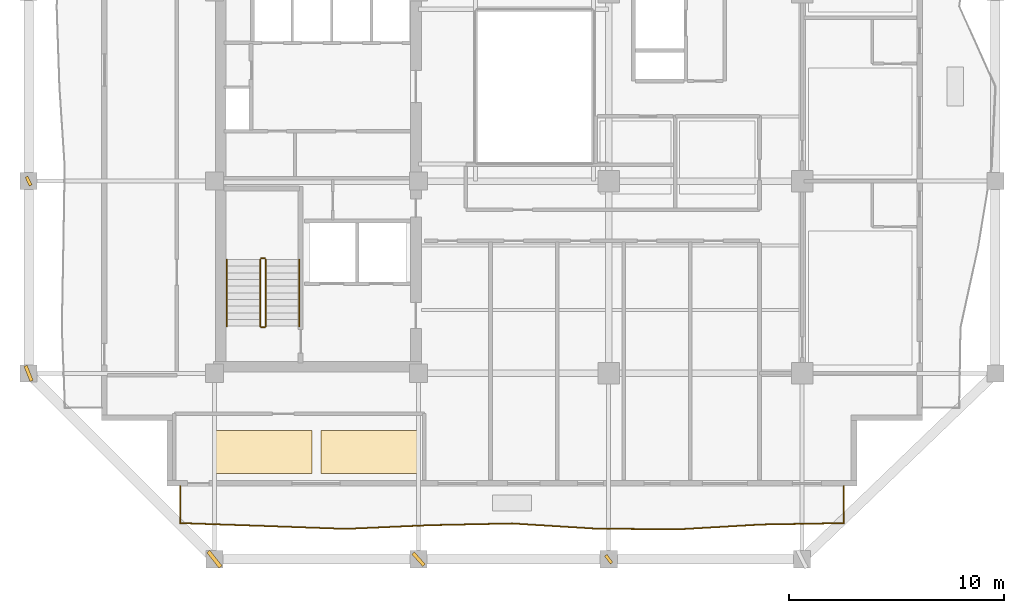
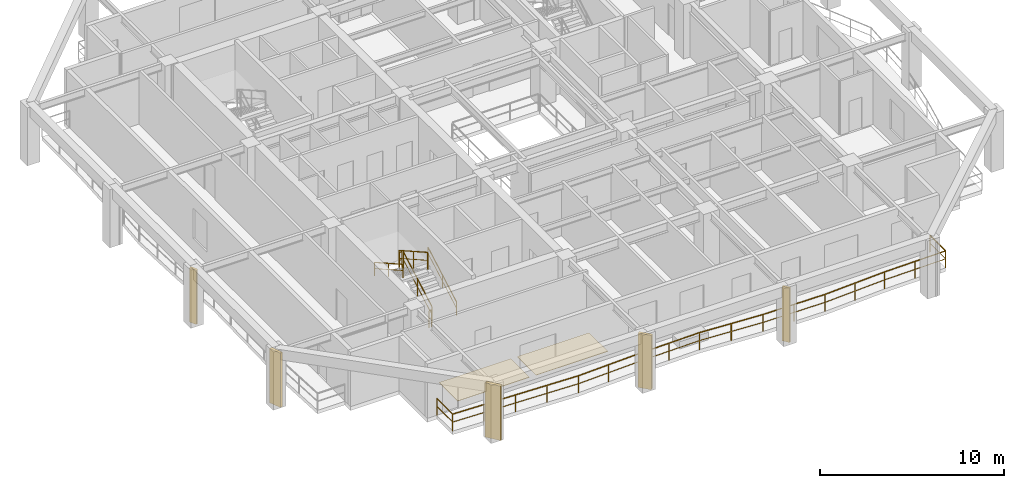
# One storey, part 8 of 11: 7 railings, 5 shading devices, 2 coverings.
"""IFC4 building model written with IfcOpenShell, lengths in metres."""

from ifc_helpers import new_model, si_unit, direction, frame, origin, origin_2d, place, context, subcontext, project, spatial, polyline, rectangle, outline, extrude, material, layer, layer_set, type_object, element, save


model = new_model("IFC4")

# Units and contexts
model_context = context("Model", 3, precision=1e-05, world=origin(), true_north=direction((0.0, 1.0)))
body_context = subcontext(model_context, "Body", "Model", "MODEL_VIEW")
ifc_project = project(units=[si_unit("LENGTHUNIT", "METRE"), si_unit("AREAUNIT", "SQUARE_METRE"), si_unit("VOLUMEUNIT", "CUBIC_METRE"), si_unit("PLANEANGLEUNIT", "RADIAN"), si_unit("MASSUNIT", "GRAM", prefix="KILO")], contexts=[model_context])

# Site, building, storey
site_placement = place(None, origin())
site = spatial("IfcSite", under=ifc_project, at=site_placement, CompositionType="ELEMENT")
building_placement = place(site_placement, origin())
building = spatial("IfcBuilding", under=site, at=building_placement, Name="Kundavana Baori Tower", CompositionType="ELEMENT")
storey_placement = place(building_placement, frame((0.0, 0.0, 146.35009765625)))
storey = spatial("IfcBuildingStorey", under=building, at=storey_placement, Name="L35", CompositionType="ELEMENT", Elevation=146.35009765625)

# Coverings
ifc_material_1 = material(Name="Honed Kota Stone and Terrazzo Flooring", Category="masonry")
ifc_layer = layer(ifc_material_1, 0.030029296875, Name="COV-INT-FLR")
ifc_layer_set = layer_set([ifc_layer], Name="Honed Kota Stone and Terrazzo Flooring")
covering_type = type_object("IfcCoveringType", Name="COV-INT-FLR", PredefinedType="FLOORING", material=ifc_layer_set)
covering_1_placement = place(storey_placement, origin())
element("IfcCovering", 1, at=covering_1_placement, inside=storey, type_object=covering_type, Name="L35 Room Finished Stone Flooring 5", PredefinedType="FLOORING", context=body_context, shape_type="SweptSolid", body=[
    extrude(outline(polyline([(15.5, 10.580078125), (20.0, 10.580078125), (20.0, 12.60009765625), (15.5, 12.60009765625), (15.5, 10.580078125)])), origin(), (0.0, 0.0, 1.0), 0.02978515625),
])
covering_2_placement = place(storey_placement, origin())
element("IfcCovering", 2, at=covering_2_placement, inside=storey, type_object=covering_type, Name="L35 Room Finished Stone Flooring 6", PredefinedType="FLOORING", context=body_context, shape_type="SweptSolid", body=[
    extrude(outline(polyline([(20.39990234375, 10.580078125), (24.89990234375, 10.580078125), (24.89990234375, 12.60009765625), (20.39990234375, 12.60009765625), (20.39990234375, 10.580078125)])), origin(), (0.0, 0.0, 1.0), 0.02978515625),
])

# Railings
ifc_material_2 = material(Name="Architectural Patinated Bronze Metalwork")
railing_type_1 = type_object("IfcRailingType", Name="RL-BAL-1150", PredefinedType="BALUSTRADE", material=ifc_material_2)
railing_1_placement = place(storey_placement, frame((44.75, 10.0, 0.0)))
element("IfcRailing", 3, at=railing_1_placement, inside=storey, type_object=railing_type_1, Name="L35 Loggia Balcony Balustrade S", PredefinedType="BALUSTRADE", context=body_context, shape_type="SweptSolid", body=[
    extrude(rectangle(XDim=0.048095703125, YDim=0.048095703125, at=origin_2d()), frame((0.0, 0.0, 1.1259765625), z_axis=(0.0, -1.0, 0.0), x_axis=(1.0, 0.0, 0.0)), (0.0, 0.0, 1.0), 1.719970703125),
    extrude(rectangle(XDim=0.03125, YDim=0.03125, at=origin_2d()), frame((0.0, 0.0, 0.597900390625), z_axis=(0.0, -1.0, 0.0), x_axis=(1.0, 0.0, 0.0)), (0.0, 0.0, 1.0), 1.719970703125),
    extrude(rectangle(XDim=0.048095703125, YDim=0.048095703125, at=origin_2d()), frame((0.0, -1.719970703125, 1.1259765625), z_axis=(-0.99984458265, -0.017629819791, 0.0), x_axis=(0.017629819791, -0.99984458265, 0.0)), (0.0, 0.0, 1.0), 3.863525390625),
    extrude(rectangle(XDim=0.03125, YDim=0.03125, at=origin_2d()), frame((0.0, -1.719970703125, 0.597900390625), z_axis=(-0.99984458265, -0.017629819791, 0.0), x_axis=(0.017629819791, -0.99984458265, 0.0)), (0.0, 0.0, 1.0), 3.863525390625),
    extrude(rectangle(XDim=0.048095703125, YDim=0.048095703125, at=origin_2d()), frame((-3.863037109375, -1.7880859375, 1.1259765625), z_axis=(-0.998309446853, -0.058122700585, 0.0), x_axis=(0.058122700585, -0.998309446853, 0.0)), (0.0, 0.0, 1.0), 3.86865234375),
    extrude(rectangle(XDim=0.03125, YDim=0.03125, at=origin_2d()), frame((-3.863037109375, -1.7880859375, 0.597900390625), z_axis=(-0.998309446853, -0.058122700585, 0.0), x_axis=(0.058122700585, -0.998309446853, 0.0)), (0.0, 0.0, 1.0), 3.86865234375),
    extrude(rectangle(XDim=0.048095703125, YDim=0.048095703125, at=origin_2d()), frame((-7.72509765625, -2.012939453125, 1.1259765625), z_axis=(-0.999956820918, 0.009292808994, 0.0), x_axis=(-0.009292808994, -0.999956820918, 0.0)), (0.0, 0.0, 1.0), 3.862060546875),
    extrude(rectangle(XDim=0.03125, YDim=0.03125, at=origin_2d()), frame((-7.72509765625, -2.012939453125, 0.597900390625), z_axis=(-0.999956820918, 0.009292808994, 0.0), x_axis=(-0.009292808994, -0.999956820918, 0.0)), (0.0, 0.0, 1.0), 3.862060546875),
    extrude(rectangle(XDim=0.048095703125, YDim=0.048095703125, at=origin_2d()), frame((-11.5869140625, -1.97705078125, 1.1259765625), z_axis=(-0.998091408394, 0.061753870241, 0.0), x_axis=(-0.061753870241, -0.998091408394, 0.0)), (0.0, 0.0, 1.0), 3.870361328125),
    extrude(rectangle(XDim=0.03125, YDim=0.03125, at=origin_2d()), frame((-11.5869140625, -1.97705078125, 0.597900390625), z_axis=(-0.998091408394, 0.061753870241, 0.0), x_axis=(-0.061753870241, -0.998091408394, 0.0)), (0.0, 0.0, 1.0), 3.870361328125),
    extrude(rectangle(XDim=0.048095703125, YDim=0.048095703125, at=origin_2d()), frame((-15.449951171875, -1.738037109375, 1.1259765625), z_axis=(-0.999779836826, -0.020982799534, 0.0), x_axis=(0.020982799534, -0.999779836826, 0.0)), (0.0, 0.0, 1.0), 3.86279296875),
    extrude(rectangle(XDim=0.03125, YDim=0.03125, at=origin_2d()), frame((-15.449951171875, -1.738037109375, 0.597900390625), z_axis=(-0.999779836826, -0.020982799534, 0.0), x_axis=(0.020982799534, -0.999779836826, 0.0)), (0.0, 0.0, 1.0), 3.86279296875),
    extrude(rectangle(XDim=0.048095703125, YDim=0.048095703125, at=origin_2d()), frame((-19.31201171875, -1.819091796875, 1.1259765625), z_axis=(-0.999011689366, -0.044448222797, 0.0), x_axis=(0.044448222797, -0.999011689366, 0.0)), (0.0, 0.0, 1.0), 3.866943359375),
    extrude(rectangle(XDim=0.03125, YDim=0.03125, at=origin_2d()), frame((-19.31201171875, -1.819091796875, 0.597900390625), z_axis=(-0.999011689366, -0.044448222797, 0.0), x_axis=(0.044448222797, -0.999011689366, 0.0)), (0.0, 0.0, 1.0), 3.866943359375),
    extrude(rectangle(XDim=0.048095703125, YDim=0.048095703125, at=origin_2d()), frame((-23.175048828125, -1.990966796875, 1.1259765625), z_axis=(-0.999354054427, 0.035937082536, 0.0), x_axis=(-0.035937082536, -0.999354054427, 0.0)), (0.0, 0.0, 1.0), 3.865478515625),
    extrude(rectangle(XDim=0.03125, YDim=0.03125, at=origin_2d()), frame((-23.175048828125, -1.990966796875, 0.597900390625), z_axis=(-0.999354054427, 0.035937082536, 0.0), x_axis=(-0.035937082536, -0.999354054427, 0.0)), (0.0, 0.0, 1.0), 3.865478515625),
    extrude(rectangle(XDim=0.048095703125, YDim=0.048095703125, at=origin_2d()), frame((-27.0380859375, -1.85205078125, 1.1259765625), z_axis=(-0.999415639858, 0.034181556528, 0.0), x_axis=(-0.034181556528, -0.999415639858, 0.0)), (0.0, 0.0, 1.0), 3.864013671875),
    extrude(rectangle(XDim=0.03125, YDim=0.03125, at=origin_2d()), frame((-27.0380859375, -1.85205078125, 0.597900390625), z_axis=(-0.999415639858, 0.034181556528, 0.0), x_axis=(-0.034181556528, -0.999415639858, 0.0)), (0.0, 0.0, 1.0), 3.864013671875),
    extrude(rectangle(XDim=0.048095703125, YDim=0.048095703125, at=origin_2d()), frame((-30.89990234375, -1.719970703125, 1.1259765625), z_axis=(0.0, 1.0, 0.0), x_axis=(-1.0, 0.0, 0.0)), (0.0, 0.0, 1.0), 1.719970703125),
    extrude(rectangle(XDim=0.03125, YDim=0.03125, at=origin_2d()), frame((-30.89990234375, -1.719970703125, 0.597900390625), z_axis=(0.0, 1.0, 0.0), x_axis=(-1.0, 0.0, 0.0)), (0.0, 0.0, 1.0), 1.719970703125),
    extrude(rectangle(XDim=0.0419921875, YDim=0.0419921875, at=origin_2d()), origin(), (0.0, 0.0, 1.0), 1.101806640625),
    extrude(rectangle(XDim=0.0419921875, YDim=0.0419921875, at=origin_2d()), frame((0.0, -1.719970703125, 0.0)), (0.0, 0.0, 1.0), 1.101806640625),
    extrude(rectangle(XDim=0.0419921875, YDim=0.0419921875, at=origin_2d()), frame((-1.931640625, -1.75390625, 0.0)), (0.0, 0.0, 1.0), 1.101806640625),
    extrude(rectangle(XDim=0.0419921875, YDim=0.0419921875, at=origin_2d()), frame((-3.863037109375, -1.7880859375, 0.0)), (0.0, 0.0, 1.0), 1.101806640625),
    extrude(rectangle(XDim=0.0419921875, YDim=0.0419921875, at=origin_2d()), frame((-5.7939453125, -1.900390625, 0.0)), (0.0, 0.0, 1.0), 1.101806640625),
    extrude(rectangle(XDim=0.0419921875, YDim=0.0419921875, at=origin_2d()), frame((-7.72509765625, -2.012939453125, 0.0)), (0.0, 0.0, 1.0), 1.101806640625),
    extrude(rectangle(XDim=0.0419921875, YDim=0.0419921875, at=origin_2d()), frame((-9.656005859375, -1.9951171875, 0.0)), (0.0, 0.0, 1.0), 1.101806640625),
    extrude(rectangle(XDim=0.0419921875, YDim=0.0419921875, at=origin_2d()), frame((-11.5869140625, -1.97705078125, 0.0)), (0.0, 0.0, 1.0), 1.101806640625),
    extrude(rectangle(XDim=0.0419921875, YDim=0.0419921875, at=origin_2d()), frame((-13.5185546875, -1.857421875, 0.0)), (0.0, 0.0, 1.0), 1.101806640625),
    extrude(rectangle(XDim=0.0419921875, YDim=0.0419921875, at=origin_2d()), frame((-15.449951171875, -1.738037109375, 0.0)), (0.0, 0.0, 1.0), 1.101806640625),
    extrude(rectangle(XDim=0.0419921875, YDim=0.0419921875, at=origin_2d()), frame((-17.380859375, -1.778564453125, 0.0)), (0.0, 0.0, 1.0), 1.101806640625),
    extrude(rectangle(XDim=0.0419921875, YDim=0.0419921875, at=origin_2d()), frame((-19.31201171875, -1.819091796875, 0.0)), (0.0, 0.0, 1.0), 1.101806640625),
    extrude(rectangle(XDim=0.0419921875, YDim=0.0419921875, at=origin_2d()), frame((-21.24365234375, -1.905029296875, 0.0)), (0.0, 0.0, 1.0), 1.101806640625),
    extrude(rectangle(XDim=0.0419921875, YDim=0.0419921875, at=origin_2d()), frame((-23.175048828125, -1.990966796875, 0.0)), (0.0, 0.0, 1.0), 1.101806640625),
    extrude(rectangle(XDim=0.0419921875, YDim=0.0419921875, at=origin_2d()), frame((-25.1064453125, -1.92138671875, 0.0)), (0.0, 0.0, 1.0), 1.101806640625),
    extrude(rectangle(XDim=0.0419921875, YDim=0.0419921875, at=origin_2d()), frame((-27.0380859375, -1.85205078125, 0.0)), (0.0, 0.0, 1.0), 1.101806640625),
    extrude(rectangle(XDim=0.0419921875, YDim=0.0419921875, at=origin_2d()), frame((-28.968994140625, -1.7861328125, 0.0)), (0.0, 0.0, 1.0), 1.101806640625),
    extrude(rectangle(XDim=0.0419921875, YDim=0.0419921875, at=origin_2d()), frame((-30.89990234375, -1.719970703125, 0.0)), (0.0, 0.0, 1.0), 1.101806640625),
    extrude(rectangle(XDim=0.0419921875, YDim=0.0419921875, at=origin_2d()), frame((-30.89990234375, 0.0, 0.0)), (0.0, 0.0, 1.0), 1.101806640625),
])
ifc_material_3 = material(Name="Architectural Patinated Bronze Metalwork")
railing_type_2 = type_object("IfcRailingType", Name="RL-GRD-1150", PredefinedType="GUARDRAIL", material=ifc_material_3)
railing_2_placement = place(storey_placement, frame((17.840087890625, 17.449951171875, 0.1748046875)))
element("IfcRailing", 4, at=railing_2_placement, inside=storey, type_object=railing_type_2, Name="L35 ST1 stair guard 1", PredefinedType="GUARDRAIL", context=body_context, shape_type="SweptSolid", body=[
    extrude(rectangle(XDim=0.048095703125, YDim=0.048095703125, at=origin_2d()), frame((0.0, 0.0, 1.1259765625), z_axis=(0.0, 0.870830938388, 0.491582624537), x_axis=(-1.0, 0.0, 0.0)), (0.0, 0.0, 1.0), 3.559814453125),
    extrude(rectangle(XDim=0.03125, YDim=0.03125, at=origin_2d()), frame((0.0, 0.0, 0.597900390625), z_axis=(0.0, 0.870830938388, 0.491582624537), x_axis=(-1.0, 0.0, 0.0)), (0.0, 0.0, 1.0), 3.559814453125),
    extrude(rectangle(XDim=0.0419921875, YDim=0.0419921875, at=origin_2d()), origin(), (0.0, 0.0, 1.0), 1.101806640625),
    extrude(rectangle(XDim=0.0419921875, YDim=0.0419921875, at=origin_2d()), frame((0.0, 1.550048828125, 0.875)), (0.0, 0.0, 1.0), 1.101806640625),
    extrude(rectangle(XDim=0.0419921875, YDim=0.0419921875, at=origin_2d()), frame((0.0, 3.10009765625, 1.75)), (0.0, 0.0, 1.0), 1.101806640625),
])
railing_3_placement = place(storey_placement, frame((17.7900390625, 20.60009765625, 1.9248046875)))
element("IfcRailing", 5, at=railing_3_placement, inside=storey, type_object=railing_type_2, Name="L35 ST1 stair guard 2", PredefinedType="GUARDRAIL", context=body_context, shape_type="SweptSolid", body=[
    extrude(rectangle(XDim=0.048095703125, YDim=0.048095703125, at=origin_2d()), frame((0.0, 0.0, 1.1259765625), z_axis=(-1.0, 0.0, 0.0), x_axis=(0.0, -1.0, 0.0)), (0.0, 0.0, 1.0), 0.16015625),
    extrude(rectangle(XDim=0.03125, YDim=0.03125, at=origin_2d()), frame((0.0, 0.0, 0.597900390625), z_axis=(-1.0, 0.0, 0.0), x_axis=(0.0, -1.0, 0.0)), (0.0, 0.0, 1.0), 0.16015625),
    extrude(rectangle(XDim=0.0419921875, YDim=0.0419921875, at=origin_2d()), origin(), (0.0, 0.0, 1.0), 1.101806640625),
    extrude(rectangle(XDim=0.0419921875, YDim=0.0419921875, at=origin_2d()), frame((-0.16015625, 0.0, 0.0)), (0.0, 0.0, 1.0), 1.101806640625),
])
railing_4_placement = place(storey_placement, frame((17.580078125, 20.550048828125, 2.099853515625)))
element("IfcRailing", 6, at=railing_4_placement, inside=storey, type_object=railing_type_2, Name="L35 ST1 stair guard 3", PredefinedType="GUARDRAIL", context=body_context, shape_type="SweptSolid", body=[
    extrude(rectangle(XDim=0.048095703125, YDim=0.048095703125, at=origin_2d()), frame((0.0, 0.0, 1.1259765625), z_axis=(0.0, -0.870830938388, 0.491582624537), x_axis=(1.0, 0.0, 0.0)), (0.0, 0.0, 1.0), 3.559814453125),
    extrude(rectangle(XDim=0.03125, YDim=0.03125, at=origin_2d()), frame((0.0, 0.0, 0.597900390625), z_axis=(0.0, -0.870830938388, 0.491582624537), x_axis=(1.0, 0.0, 0.0)), (0.0, 0.0, 1.0), 3.559814453125),
    extrude(rectangle(XDim=0.0419921875, YDim=0.0419921875, at=origin_2d()), origin(), (0.0, 0.0, 1.0), 1.101806640625),
    extrude(rectangle(XDim=0.0419921875, YDim=0.0419921875, at=origin_2d()), frame((0.0, -1.550048828125, 0.875)), (0.0, 0.0, 1.0), 1.101806640625),
    extrude(rectangle(XDim=0.0419921875, YDim=0.0419921875, at=origin_2d()), frame((0.0, -3.10009765625, 1.75)), (0.0, 0.0, 1.0), 1.101806640625),
])
railing_5_placement = place(storey_placement, frame((17.7900390625, 17.39990234375, 0.0)))
element("IfcRailing", 7, at=railing_5_placement, inside=storey, type_object=railing_type_2, Name="L35 ST1 stair guard 4", PredefinedType="GUARDRAIL", context=body_context, shape_type="SweptSolid", body=[
    extrude(rectangle(XDim=0.048095703125, YDim=0.048095703125, at=origin_2d()), frame((0.0, 0.0, 1.1259765625), z_axis=(-1.0, 0.0, 0.0), x_axis=(0.0, -1.0, 0.0)), (0.0, 0.0, 1.0), 0.16015625),
    extrude(rectangle(XDim=0.03125, YDim=0.03125, at=origin_2d()), frame((0.0, 0.0, 0.597900390625), z_axis=(-1.0, 0.0, 0.0), x_axis=(0.0, -1.0, 0.0)), (0.0, 0.0, 1.0), 0.16015625),
    extrude(rectangle(XDim=0.0419921875, YDim=0.0419921875, at=origin_2d()), origin(), (0.0, 0.0, 1.0), 1.101806640625),
    extrude(rectangle(XDim=0.0419921875, YDim=0.0419921875, at=origin_2d()), frame((-0.16015625, 0.0, 0.0)), (0.0, 0.0, 1.0), 1.101806640625),
])
ifc_material_4 = material(Name="Architectural Patinated Bronze Metalwork")
railing_type_3 = type_object("IfcRailingType", Name="RL-HND-920", PredefinedType="HANDRAIL", material=ifc_material_4)
railing_6_placement = place(storey_placement, frame((19.389892578125, 17.449951171875, 0.1748046875)))
element("IfcRailing", 8, at=railing_6_placement, inside=storey, type_object=railing_type_3, Name="L35 ST1 stair handrail 1", PredefinedType="HANDRAIL", context=body_context, shape_type="SweptSolid", body=[
    extrude(rectangle(XDim=0.048095703125, YDim=0.048095703125, at=origin_2d()), frame((0.0, 0.0, 0.8759765625), z_axis=(0.0, 0.870830938388, 0.491582624537), x_axis=(-1.0, 0.0, 0.0)), (0.0, 0.0, 1.0), 3.559814453125),
    extrude(rectangle(XDim=0.03125, YDim=0.03125, at=origin_2d()), frame((0.0, 0.0, 0.468017578125), z_axis=(0.0, 0.870830938388, 0.491582624537), x_axis=(-1.0, 0.0, 0.0)), (0.0, 0.0, 1.0), 3.559814453125),
    extrude(rectangle(XDim=0.0419921875, YDim=0.0419921875, at=origin_2d()), origin(), (0.0, 0.0, 1.0), 0.851806640625),
    extrude(rectangle(XDim=0.0419921875, YDim=0.0419921875, at=origin_2d()), frame((0.0, 1.550048828125, 0.875)), (0.0, 0.0, 1.0), 0.851806640625),
    extrude(rectangle(XDim=0.0419921875, YDim=0.0419921875, at=origin_2d()), frame((0.0, 3.10009765625, 1.75)), (0.0, 0.0, 1.0), 0.851806640625),
])
railing_7_placement = place(storey_placement, frame((16.030029296875, 20.550048828125, 2.099853515625)))
element("IfcRailing", 9, at=railing_7_placement, inside=storey, type_object=railing_type_3, Name="L35 ST1 stair handrail 2", PredefinedType="HANDRAIL", context=body_context, shape_type="SweptSolid", body=[
    extrude(rectangle(XDim=0.048095703125, YDim=0.048095703125, at=origin_2d()), frame((0.0, 0.0, 0.8759765625), z_axis=(0.0, -0.870830938388, 0.491582624537), x_axis=(1.0, 0.0, 0.0)), (0.0, 0.0, 1.0), 3.559814453125),
    extrude(rectangle(XDim=0.03125, YDim=0.03125, at=origin_2d()), frame((0.0, 0.0, 0.468017578125), z_axis=(0.0, -0.870830938388, 0.491582624537), x_axis=(1.0, 0.0, 0.0)), (0.0, 0.0, 1.0), 3.559814453125),
    extrude(rectangle(XDim=0.0419921875, YDim=0.0419921875, at=origin_2d()), origin(), (0.0, 0.0, 1.0), 0.851806640625),
    extrude(rectangle(XDim=0.0419921875, YDim=0.0419921875, at=origin_2d()), frame((0.0, -1.550048828125, 0.875)), (0.0, 0.0, 1.0), 0.851806640625),
    extrude(rectangle(XDim=0.0419921875, YDim=0.0419921875, at=origin_2d()), frame((0.0, -3.10009765625, 1.75)), (0.0, 0.0, 1.0), 0.851806640625),
])

# Shading devices
ifc_material_5 = material(Name="Red-Buff Dholpur Sandstone Cladding on Concrete C40/50", Category="masonry")
shading_device_type_1 = type_object("IfcShadingDeviceType", Name="SHD-FIN-750", PredefinedType="JALOUSIE", material=ifc_material_5)
for number, where, z_axis, x_axis, name in (
    (10, (24.949951171875, 6.60009765625, -0.000244140625), (0.0, 0.0, 1.0), (0.743845129807, 0.668352020168, 0.0), "L35 Sweeping Dholpur Sandstone Facade Fin 2"),
    (11, (6.800048828125, 15.25, -0.000244140625), (0.0, 0.0, 1.0), (0.927183854567, 0.374606593416, 0.0), "L35 Sweeping Dholpur Sandstone Facade Fin 5"),
):
    element("IfcShadingDevice", number, at=place(storey_placement, frame(where, z_axis=z_axis, x_axis=x_axis)), inside=storey, type_object=shading_device_type_1, Name=name, PredefinedType="JALOUSIE", context=body_context, shape_type="SweptSolid", body=[
        extrude(rectangle(XDim=0.159912109375, YDim=0.75, at=origin_2d()), origin(), (0.0, 0.0, 1.0), 3.60009765625),
    ])
ifc_material_6 = material(Name="Red-Buff Dholpur Sandstone Cladding on Concrete C40/50", Category="masonry")
shading_device_type_2 = type_object("IfcShadingDeviceType", Name="SHD-FIN-920", PredefinedType="JALOUSIE", material=ifc_material_6)
shading_device_placement = place(storey_placement, frame((15.449951171875, 6.60009765625, -0.000244140625), z_axis=(0.0, 0.0, 1.0), x_axis=(0.784559979031, 0.620052932662, 0.0)))
element("IfcShadingDevice", 12, at=shading_device_placement, inside=storey, type_object=shading_device_type_2, Name="L35 Sweeping Dholpur Sandstone Facade Fin 1", PredefinedType="JALOUSIE", context=body_context, shape_type="SweptSolid", body=[
    extrude(rectangle(XDim=0.179931640625, YDim=0.919921875, at=origin_2d()), origin(), (0.0, 0.0, 1.0), 3.60009765625),
])
ifc_material_7 = material(Name="Architectural Patinated Bronze Metalwork")
shading_device_type_3 = type_object("IfcShadingDeviceType", Name="SHD-LOUV-450", PredefinedType="SHUTTER", material=ifc_material_7)
for number, where, z_axis, x_axis, name in (
    (13, (33.800048828125, 6.60009765625, -0.000244140625), (0.0, 0.0, 1.0), (0.804686606055, 0.593699811383, 0.0), "L35 Sweeping Dholpur Sandstone Facade Fin 3"),
    (14, (6.800048828125, 24.199951171875, -0.000244140625), (0.0, 0.0, 1.0), (0.896021955849, 0.444009746106, 0.0), "L35 Sweeping Dholpur Sandstone Facade Fin 6"),
):
    element("IfcShadingDevice", number, at=place(storey_placement, frame(where, z_axis=z_axis, x_axis=x_axis)), inside=storey, type_object=shading_device_type_3, Name=name, PredefinedType="SHUTTER", context=body_context, shape_type="SweptSolid", body=[
        extrude(rectangle(XDim=0.139892578125, YDim=0.449951171875, at=origin_2d()), origin(), (0.0, 0.0, 1.0), 3.60009765625),
    ])

save(model, "model.ifc")
